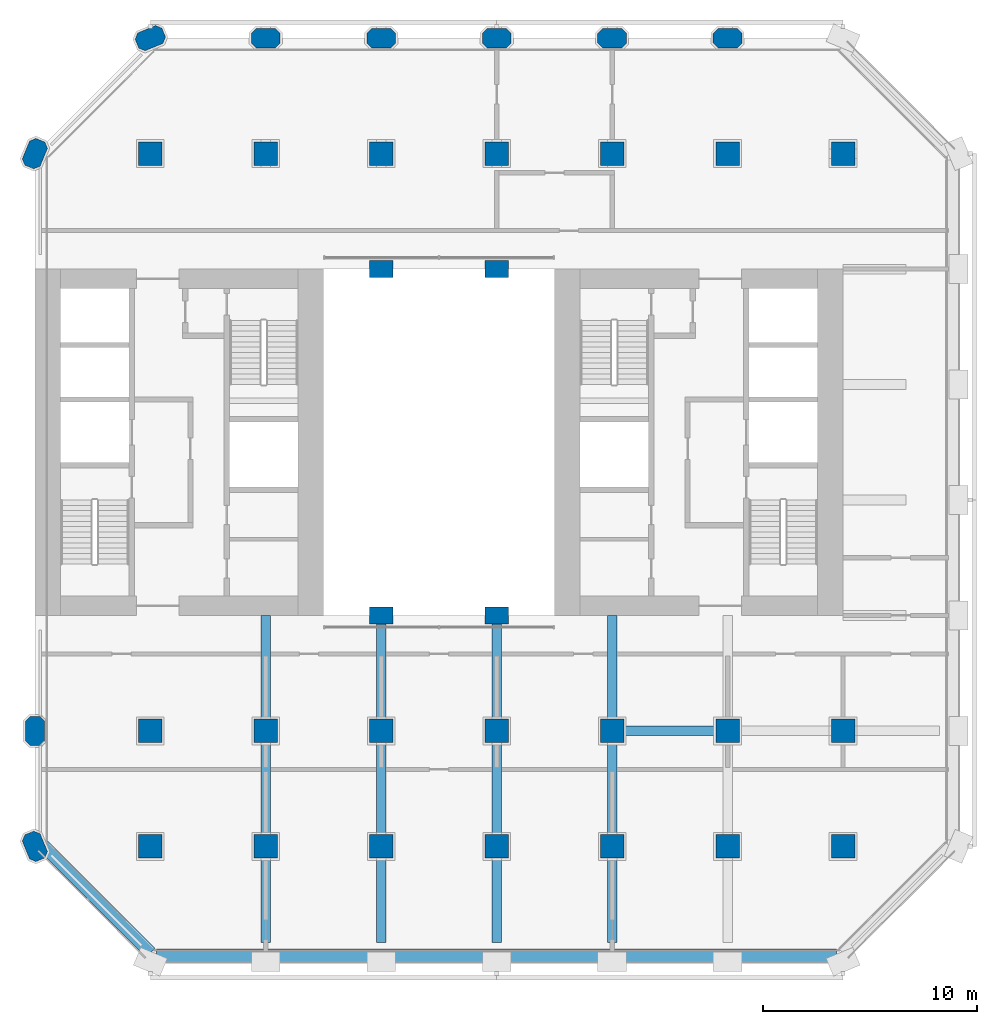
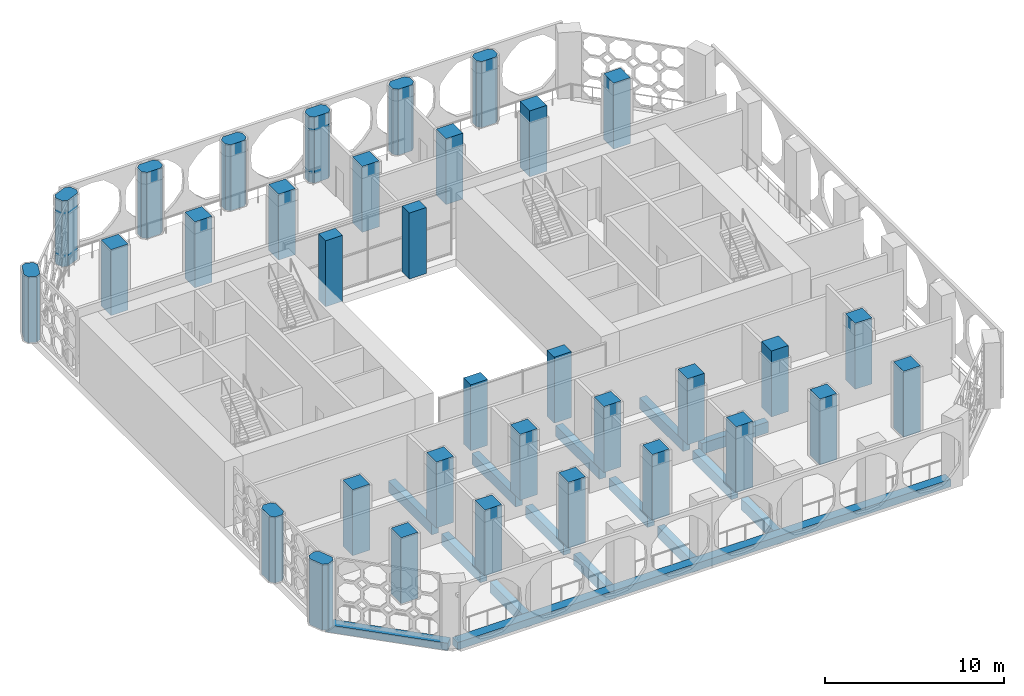
# One storey, part 1 of 14: 34 columns, 15 beams.
"""IFC4 building model written with IfcOpenShell, lengths in metres."""

from ifc_helpers import new_model, si_unit, direction, frame, origin, origin_2d, place, context, subcontext, project, spatial, polyline, rectangle, outline, extrude, material, material_profile, profile_set, type_object, element, save


model = new_model("IFC4")

# Units and contexts
model_context = context("Model", 3, precision=1e-05, world=origin(), true_north=direction((0.0, 1.0)))
body_context = subcontext(model_context, "Body", "Model", "MODEL_VIEW")
ifc_project = project(units=[si_unit("LENGTHUNIT", "METRE"), si_unit("AREAUNIT", "SQUARE_METRE"), si_unit("VOLUMEUNIT", "CUBIC_METRE"), si_unit("PLANEANGLEUNIT", "RADIAN"), si_unit("MASSUNIT", "GRAM", prefix="KILO")], contexts=[model_context])

# Site, building, storey
site_placement = place(None, origin())
site = spatial("IfcSite", under=ifc_project, at=site_placement, CompositionType="ELEMENT")
building_placement = place(site_placement, origin())
building = spatial("IfcBuilding", under=site, at=building_placement, Name="Tabaq Tower and Sports Hall", CompositionType="ELEMENT")
storey_placement = place(building_placement, frame((0.0, 0.0, 60.199951171875)))
storey = spatial("IfcBuildingStorey", under=building, at=storey_placement, Name="L13", CompositionType="ELEMENT", Elevation=60.199951171875)

# Columns
ifc_material_1 = material(Name="Concrete C60/75", Category="concrete")
ifc_material_profile_1 = material_profile(ifc_material_1, rectangle(XDim=1.10009765625, YDim=0.800048828125, at=origin_2d()), Name="ATRIUM COLUMN 1100x800")
ifc_profile_set_1 = profile_set([ifc_material_profile_1], Name="Concrete C60/75")
column_type_1 = type_object("IfcColumnType", Name="RC COLUMN ATRIUM COLUMN 1100x800 C60/75", PredefinedType="COLUMN", material=ifc_profile_set_1)
for number, where, z_axis, x_axis, name in (
    (1, (21.60009765625, 16.199951171875, 0.0), (0.0, 0.0, 1.0), (1.0, 0.0, 0.0), "Atrium Column 5/D L13"),
    (2, (27.0, 16.199951171875, 0.0), (0.0, 0.0, 1.0), (1.0, 0.0, 0.0), "Atrium Column 6/D L13"),
    (3, (21.60009765625, 32.39990234375, 0.0), (0.0, 0.0, 1.0), (1.0, 0.0, 0.0), "Atrium Column 5/G L13"),
    (4, (27.0, 32.39990234375, 0.0), (0.0, 0.0, 1.0), (1.0, 0.0, 0.0), "Atrium Column 6/G L13"),
):
    element("IfcColumn", number, at=place(storey_placement, frame(where, z_axis=z_axis, x_axis=x_axis)), inside=storey, type_object=column_type_1, Name=name, PredefinedType="COLUMN", context=body_context, shape_type="SweptSolid", body=[
        extrude(rectangle(XDim=1.10009765625, YDim=0.800048828125, at=origin_2d()), origin(), (0.0, 0.0, 1.0), 4.5),
    ])
ifc_material_2 = material(Name="Concrete C60/75", Category="concrete")
ifc_material_profile_2 = material_profile(ifc_material_2, rectangle(XDim=1.10009765625, YDim=1.10009765625, at=origin_2d()), Name="COLUMN 1100x1100")
ifc_profile_set_2 = profile_set([ifc_material_profile_2], Name="Concrete C60/75")
column_type_2 = type_object("IfcColumnType", Name="RC COLUMN COLUMN 1100x1100 C60/75", PredefinedType="COLUMN", material=ifc_profile_set_2)
for number, where, z_axis, x_axis, name in (
    (5, (10.800048828125, 5.39990234375, 0.0), (0.0, 0.0, 1.0), (1.0, 0.0, 0.0), "Column 3/B L13"),
    (6, (16.199951171875, 5.39990234375, 0.0), (0.0, 0.0, 1.0), (1.0, 0.0, 0.0), "Column 4/B L13"),
    (7, (21.60009765625, 5.39990234375, 0.0), (0.0, 0.0, 1.0), (1.0, 0.0, 0.0), "Column 5/B L13"),
    (8, (27.0, 5.39990234375, 0.0), (0.0, 0.0, 1.0), (1.0, 0.0, 0.0), "Column 6/B L13"),
    (9, (32.39990234375, 5.39990234375, 0.0), (0.0, 0.0, 1.0), (1.0, 0.0, 0.0), "Column 7/B L13"),
    (10, (37.800048828125, 5.39990234375, 0.0), (0.0, 0.0, 1.0), (1.0, 0.0, 0.0), "Column 8/B L13"),
    (11, (43.199951171875, 5.39990234375, 0.0), (0.0, 0.0, 1.0), (1.0, 0.0, 0.0), "Column 9/B L13"),
    (12, (10.800048828125, 10.800048828125, 0.0), (0.0, 0.0, 1.0), (1.0, 0.0, 0.0), "Column 3/C L13"),
    (13, (16.199951171875, 10.800048828125, 0.0), (0.0, 0.0, 1.0), (1.0, 0.0, 0.0), "Column 4/C L13"),
    (14, (21.60009765625, 10.800048828125, 0.0), (0.0, 0.0, 1.0), (1.0, 0.0, 0.0), "Column 5/C L13"),
    (15, (27.0, 10.800048828125, 0.0), (0.0, 0.0, 1.0), (1.0, 0.0, 0.0), "Column 6/C L13"),
    (16, (32.39990234375, 10.800048828125, 0.0), (0.0, 0.0, 1.0), (1.0, 0.0, 0.0), "Column 7/C L13"),
    (17, (37.800048828125, 10.800048828125, 0.0), (0.0, 0.0, 1.0), (1.0, 0.0, 0.0), "Column 8/C L13"),
    (18, (43.199951171875, 10.800048828125, 0.0), (0.0, 0.0, 1.0), (1.0, 0.0, 0.0), "Column 9/C L13"),
    (19, (10.800048828125, 37.800048828125, 0.0), (0.0, 0.0, 1.0), (1.0, 0.0, 0.0), "Column 3/H L13"),
    (20, (16.199951171875, 37.800048828125, 0.0), (0.0, 0.0, 1.0), (1.0, 0.0, 0.0), "Column 4/H L13"),
    (21, (21.60009765625, 37.800048828125, 0.0), (0.0, 0.0, 1.0), (1.0, 0.0, 0.0), "Column 5/H L13"),
    (22, (27.0, 37.800048828125, 0.0), (0.0, 0.0, 1.0), (1.0, 0.0, 0.0), "Column 6/H L13"),
    (23, (32.39990234375, 37.800048828125, 0.0), (0.0, 0.0, 1.0), (1.0, 0.0, 0.0), "Column 7/H L13"),
    (24, (37.800048828125, 37.800048828125, 0.0), (0.0, 0.0, 1.0), (1.0, 0.0, 0.0), "Column 8/H L13"),
    (25, (43.199951171875, 37.800048828125, 0.0), (0.0, 0.0, 1.0), (1.0, 0.0, 0.0), "Column 9/H L13"),
):
    element("IfcColumn", number, at=place(storey_placement, frame(where, z_axis=z_axis, x_axis=x_axis)), inside=storey, type_object=column_type_2, Name=name, PredefinedType="COLUMN", context=body_context, shape_type="SweptSolid", body=[
        extrude(rectangle(XDim=1.10009765625, YDim=1.10009765625, at=origin_2d()), origin(), (0.0, 0.0, 1.0), 4.5),
    ])
ifc_material_3 = material(Name="Concrete C60/75", Category="concrete")
ifc_material_profile_3 = material_profile(ifc_material_3, outline(polyline([(-0.449951171875, -0.449951171875), (0.449951171875, -0.449951171875), (0.675048828125, -0.22509765625), (0.675048828125, 0.22509765625), (0.449951171875, 0.449951171875), (-0.449951171875, 0.449951171875), (-0.675048828125, 0.22509765625), (-0.675048828125, -0.22509765625), (-0.449951171875, -0.449951171875)])), Name="PIER 1350x900")
ifc_profile_set_3 = profile_set([ifc_material_profile_3], Name="Concrete C60/75")
column_type_3 = type_object("IfcColumnType", Name="RC COLUMN PIER 1350x900 C60/75", PredefinedType="COLUMN", material=ifc_profile_set_3)
for number, where, z_axis, x_axis, name in (
    (26, (5.39990234375, 5.39990234375, 0.0), (0.0, 0.0, 1.0), (-0.382683432365, 0.923879532511, 0.0), "Pier 2/B L13"),
    (27, (5.39990234375, 10.800048828125, 0.0), (0.0, 0.0, 1.0), (0.0, 1.0, 0.0), "Pier 2/C L13"),
    (28, (5.39990234375, 37.800048828125, 0.0), (0.0, 0.0, 1.0), (0.382683432365, 0.923879532511, 0.0), "Pier 2/H L13"),
    (29, (10.800048828125, 43.199951171875, 0.0), (0.0, 0.0, 1.0), (0.923879532511, 0.382683432365, 0.0), "Pier 3/I L13"),
    (30, (16.199951171875, 43.199951171875, 0.0), (0.0, 0.0, 1.0), (1.0, 0.0, 0.0), "Pier 4/I L13"),
    (31, (21.60009765625, 43.199951171875, 0.0), (0.0, 0.0, 1.0), (1.0, 0.0, 0.0), "Pier 5/I L13"),
    (32, (27.0, 43.199951171875, 0.0), (0.0, 0.0, 1.0), (1.0, 0.0, 0.0), "Pier 6/I L13"),
    (33, (32.39990234375, 43.199951171875, 0.0), (0.0, 0.0, 1.0), (1.0, 0.0, 0.0), "Pier 7/I L13"),
    (34, (37.800048828125, 43.199951171875, 0.0), (0.0, 0.0, 1.0), (1.0, 0.0, 0.0), "Pier 8/I L13"),
):
    element("IfcColumn", number, at=place(storey_placement, frame(where, z_axis=z_axis, x_axis=x_axis)), inside=storey, type_object=column_type_3, Name=name, PredefinedType="COLUMN", context=body_context, shape_type="SweptSolid", body=[
        extrude(outline(polyline([(-0.449951171875, -0.449951171875), (0.449951171875, -0.449951171875), (0.675048828125, -0.22509765625), (0.675048828125, 0.22509765625), (0.449951171875, 0.449951171875), (-0.449951171875, 0.449951171875), (-0.675048828125, 0.22509765625), (-0.675048828125, -0.22509765625), (-0.449951171875, -0.449951171875)])), origin(), (0.0, 0.0, 1.0), 4.5),
    ])

# Beams
ifc_material_4 = material(Name="Concrete C40/50", Category="concrete")
ifc_material_profile_4 = material_profile(ifc_material_4, rectangle(XDim=0.449951171875, YDim=0.75, at=origin_2d()), Name="CB 450x750")
ifc_profile_set_4 = profile_set([ifc_material_profile_4], Name="Concrete C40/50")
beam_type_1 = type_object("IfcBeamType", Name="PT CANTILEVER BEAM CB 450x750 C40/50", PredefinedType="BEAM", material=ifc_profile_set_4)
beam_1_placement = place(storey_placement, frame((37.25, 10.800048828125, -0.875), z_axis=(-1.0, 0.0, 0.0), x_axis=(0.0, -1.0, 0.0)))
element("IfcBeam", 35, at=beam_1_placement, inside=storey, type_object=beam_type_1, Name="Cantilever Beam L13 E2 span 3", PredefinedType="BEAM", context=body_context, shape_type="SweptSolid", body=[
    extrude(rectangle(XDim=0.449951171875, YDim=0.75, at=origin_2d()), origin(), (0.0, 0.0, 1.0), 4.300048828125),
])
beam_2_placement = place(storey_placement, frame((16.199951171875, 0.89990234375, -0.875), z_axis=(0.0, 1.0, 0.0), x_axis=(-1.0, 0.0, 0.0)))
element("IfcBeam", 36, at=beam_2_placement, inside=storey, type_object=beam_type_1, Name="Cantilever Beam L13 S3 span 1", PredefinedType="BEAM", context=body_context, shape_type="SweptSolid", body=[
    extrude(rectangle(XDim=0.449951171875, YDim=0.75, at=origin_2d()), origin(), (0.0, 0.0, 1.0), 3.9501953125),
])
beam_3_placement = place(storey_placement, frame((16.199951171875, 5.949951171875, -0.875), z_axis=(0.0, 1.0, 0.0), x_axis=(-1.0, 0.0, 0.0)))
element("IfcBeam", 37, at=beam_3_placement, inside=storey, type_object=beam_type_1, Name="Cantilever Beam L13 S3 span 2", PredefinedType="BEAM", context=body_context, shape_type="SweptSolid", body=[
    extrude(rectangle(XDim=0.449951171875, YDim=0.75, at=origin_2d()), origin(), (0.0, 0.0, 1.0), 4.300048828125),
])
beam_4_placement = place(storey_placement, frame((16.199951171875, 11.35009765625, -0.875), z_axis=(0.0, 1.0, 0.0), x_axis=(-1.0, 0.0, 0.0)))
element("IfcBeam", 38, at=beam_4_placement, inside=storey, type_object=beam_type_1, Name="Cantilever Beam L13 S3 span 3", PredefinedType="BEAM", context=body_context, shape_type="SweptSolid", body=[
    extrude(rectangle(XDim=0.449951171875, YDim=0.75, at=origin_2d()), origin(), (0.0, 0.0, 1.0), 4.849853515625),
])
beam_5_placement = place(storey_placement, frame((21.60009765625, 0.89990234375, -0.875), z_axis=(0.0, 1.0, 0.0), x_axis=(-1.0, 0.0, 0.0)))
element("IfcBeam", 39, at=beam_5_placement, inside=storey, type_object=beam_type_1, Name="Cantilever Beam L13 S4 span 1", PredefinedType="BEAM", context=body_context, shape_type="SweptSolid", body=[
    extrude(rectangle(XDim=0.449951171875, YDim=0.75, at=origin_2d()), origin(), (0.0, 0.0, 1.0), 3.9501953125),
])
beam_6_placement = place(storey_placement, frame((21.60009765625, 5.949951171875, -0.875), z_axis=(0.0, 1.0, 0.0), x_axis=(-1.0, 0.0, 0.0)))
element("IfcBeam", 40, at=beam_6_placement, inside=storey, type_object=beam_type_1, Name="Cantilever Beam L13 S4 span 2", PredefinedType="BEAM", context=body_context, shape_type="SweptSolid", body=[
    extrude(rectangle(XDim=0.449951171875, YDim=0.75, at=origin_2d()), origin(), (0.0, 0.0, 1.0), 4.300048828125),
])
beam_7_placement = place(storey_placement, frame((21.60009765625, 11.35009765625, -0.875), z_axis=(0.0, 1.0, 0.0), x_axis=(-1.0, 0.0, 0.0)))
element("IfcBeam", 41, at=beam_7_placement, inside=storey, type_object=beam_type_1, Name="Cantilever Beam L13 S4 span 3", PredefinedType="BEAM", context=body_context, shape_type="SweptSolid", body=[
    extrude(rectangle(XDim=0.449951171875, YDim=0.75, at=origin_2d()), origin(), (0.0, 0.0, 1.0), 4.849853515625),
])
beam_8_placement = place(storey_placement, frame((27.0, 0.89990234375, -0.875), z_axis=(0.0, 1.0, 0.0), x_axis=(-1.0, 0.0, 0.0)))
element("IfcBeam", 42, at=beam_8_placement, inside=storey, type_object=beam_type_1, Name="Cantilever Beam L13 S5 span 1", PredefinedType="BEAM", context=body_context, shape_type="SweptSolid", body=[
    extrude(rectangle(XDim=0.449951171875, YDim=0.75, at=origin_2d()), origin(), (0.0, 0.0, 1.0), 3.9501953125),
])
beam_9_placement = place(storey_placement, frame((27.0, 5.949951171875, -0.875), z_axis=(0.0, 1.0, 0.0), x_axis=(-1.0, 0.0, 0.0)))
element("IfcBeam", 43, at=beam_9_placement, inside=storey, type_object=beam_type_1, Name="Cantilever Beam L13 S5 span 2", PredefinedType="BEAM", context=body_context, shape_type="SweptSolid", body=[
    extrude(rectangle(XDim=0.449951171875, YDim=0.75, at=origin_2d()), origin(), (0.0, 0.0, 1.0), 4.300048828125),
])
beam_10_placement = place(storey_placement, frame((27.0, 11.35009765625, -0.875), z_axis=(0.0, 1.0, 0.0), x_axis=(-1.0, 0.0, 0.0)))
element("IfcBeam", 44, at=beam_10_placement, inside=storey, type_object=beam_type_1, Name="Cantilever Beam L13 S5 span 3", PredefinedType="BEAM", context=body_context, shape_type="SweptSolid", body=[
    extrude(rectangle(XDim=0.449951171875, YDim=0.75, at=origin_2d()), origin(), (0.0, 0.0, 1.0), 4.849853515625),
])
beam_11_placement = place(storey_placement, frame((32.39990234375, 0.89990234375, -0.875), z_axis=(0.0, 1.0, 0.0), x_axis=(-1.0, 0.0, 0.0)))
element("IfcBeam", 45, at=beam_11_placement, inside=storey, type_object=beam_type_1, Name="Cantilever Beam L13 S6 span 1", PredefinedType="BEAM", context=body_context, shape_type="SweptSolid", body=[
    extrude(rectangle(XDim=0.449951171875, YDim=0.75, at=origin_2d()), origin(), (0.0, 0.0, 1.0), 3.9501953125),
])
beam_12_placement = place(storey_placement, frame((32.39990234375, 5.949951171875, -0.875), z_axis=(0.0, 1.0, 0.0), x_axis=(-1.0, 0.0, 0.0)))
element("IfcBeam", 46, at=beam_12_placement, inside=storey, type_object=beam_type_1, Name="Cantilever Beam L13 S6 span 2", PredefinedType="BEAM", context=body_context, shape_type="SweptSolid", body=[
    extrude(rectangle(XDim=0.449951171875, YDim=0.75, at=origin_2d()), origin(), (0.0, 0.0, 1.0), 4.300048828125),
])
beam_13_placement = place(storey_placement, frame((32.39990234375, 11.35009765625, -0.875), z_axis=(0.0, 1.0, 0.0), x_axis=(-1.0, 0.0, 0.0)))
element("IfcBeam", 47, at=beam_13_placement, inside=storey, type_object=beam_type_1, Name="Cantilever Beam L13 S6 span 3", PredefinedType="BEAM", context=body_context, shape_type="SweptSolid", body=[
    extrude(rectangle(XDim=0.449951171875, YDim=0.75, at=origin_2d()), origin(), (0.0, 0.0, 1.0), 4.849853515625),
])
ifc_material_5 = material(Name="Concrete C40/50", Category="concrete")
ifc_material_profile_5 = material_profile(ifc_material_5, rectangle(XDim=0.60009765625, YDim=0.5, at=origin_2d()), Name="EB 600x500")
ifc_profile_set_5 = profile_set([ifc_material_profile_5], Name="Concrete C40/50")
beam_type_2 = type_object("IfcBeamType", Name="PT EDGE BEAM EB 600x500 C40/50", PredefinedType="SPANDREL", material=ifc_profile_set_5)
beam_14_placement = place(storey_placement, frame((11.0986328125, 0.300048828125, -0.25), z_axis=(1.0, 0.0, 0.0), x_axis=(0.0, 1.0, 0.0)))
element("IfcBeam", 48, at=beam_14_placement, inside=storey, type_object=beam_type_2, Name="Edge Beam L13 1", PredefinedType="SPANDREL", context=body_context, shape_type="SweptSolid", body=[
    extrude(rectangle(XDim=0.60009765625, YDim=0.5, at=origin_2d()), origin(), (0.0, 0.0, 1.0), 31.802734375),
])
beam_15_placement = place(storey_placement, frame((5.788818359375, 5.435302734375, -0.25), z_axis=(0.707124002701, -0.707089559252, 0.0), x_axis=(0.707089559252, 0.707124002701, 0.0)))
element("IfcBeam", 49, at=beam_15_placement, inside=storey, type_object=beam_type_2, Name="Edge Beam L13 5", PredefinedType="SPANDREL", context=body_context, shape_type="SweptSolid", body=[
    extrude(rectangle(XDim=0.60009765625, YDim=0.5, at=origin_2d()), origin(), (0.0, 0.0, 1.0), 7.088134765625),
])

save(model, "model.ifc")
